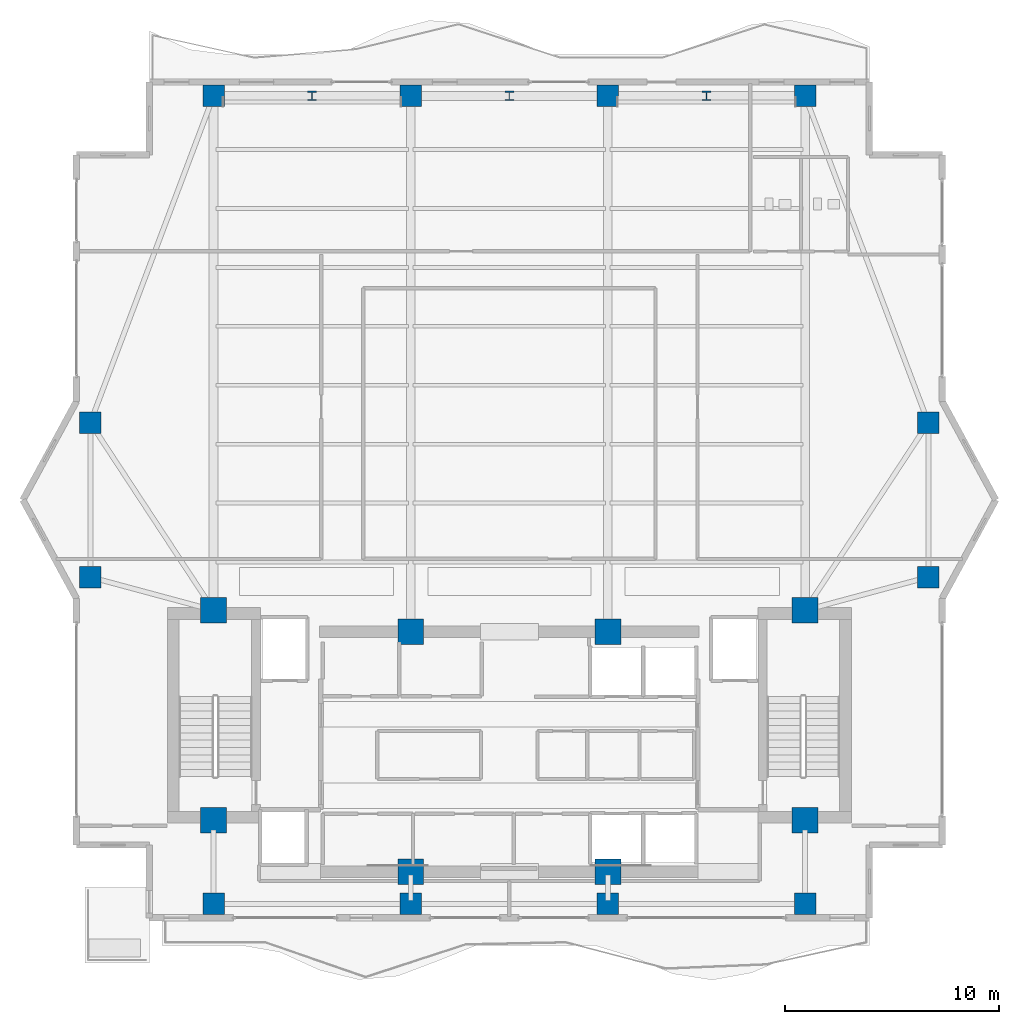
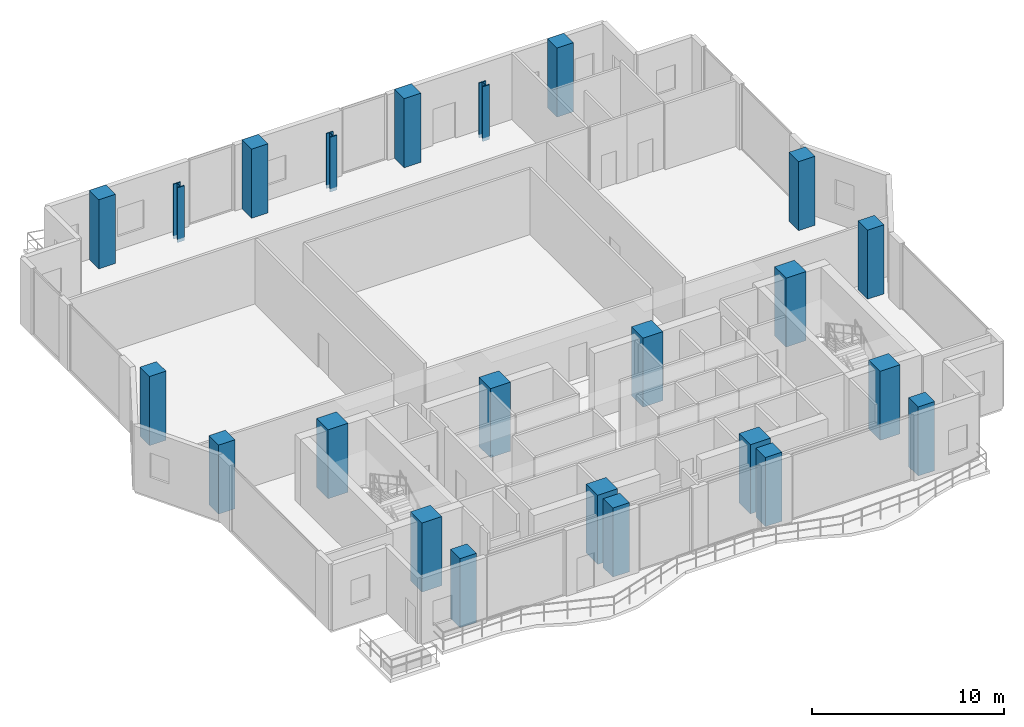
# One storey, part 1 of 24: 23 columns.
"""IFC4 building model written with IfcOpenShell, lengths in metres."""

import ifcopenshell
import ifcopenshell.guid

model = None  # the IFC model being written
_history = None  # IfcOwnerHistory: only IFC2X3 demands one
_inside = {}  # id of a spatial element -> (the spatial element, [elements in it])
_under = {}  # id of a project, library or spatial element -> (it, [spatial elements below it])
_declared = {}  # id of a project -> (the project, [libraries it declares])
_typed = {}  # id of a type object -> (the type object, [elements of that type])
_made_of = {}  # id of a material, layer set ... -> (it, [elements and type objects made of it])


def new_model(schema):
    """Start an empty IFC model of exactly this schema.

    Asked for "IFC4X3", IfcOpenShell would pick the latest addendum, in which some entities
    have other attributes; the version numbers below select the first issue.
    IFC2X3 requires an IfcOwnerHistory on every rooted entity: one is made here for all.
    """
    global model, _history
    if schema == "IFC4X3":
        model = ifcopenshell.file(schema_version=(4, 3, 0, 0))
    else:
        model = ifcopenshell.file(schema=schema)
    _inside.clear()
    _under.clear()
    _declared.clear()
    _typed.clear()
    _made_of.clear()
    _history = None
    if model.schema == "IFC2X3":
        org = make("IfcOrganization", Name="unknown")
        user = make(
            "IfcPersonAndOrganization",
            ThePerson=make("IfcPerson", FamilyName="unknown"),
            TheOrganization=org,
        )
        app = make(
            "IfcApplication",
            ApplicationDeveloper=org,
            Version="unknown",
            ApplicationFullName="unknown",
            ApplicationIdentifier="unknown",
        )
        _history = make(
            "IfcOwnerHistory",
            OwningUser=user,
            OwningApplication=app,
            ChangeAction="ADDED",
            CreationDate=0,
        )
    return model


def make(cls, **values):
    """One entity of the class cls with the attributes given. An attribute that is None is left unset."""
    return model.create_entity(
        cls, **{name: value for name, value in values.items() if value is not None}
    )


def rooted(cls, **values):
    """An entity with a GlobalId (a new one), such as an element, a storey or a relation."""
    return make(cls, GlobalId=ifcopenshell.guid.new(), OwnerHistory=_history, **values)


def si_unit(unit_type, name, prefix=None):
    """IfcSIUnit, for example si_unit("LENGTHUNIT", "METRE", prefix="MILLI")."""
    return make("IfcSIUnit", UnitType=unit_type, Prefix=prefix, Name=name)


def assignment(units):
    """IfcUnitAssignment: the units of a project."""
    return None if units is None else make("IfcUnitAssignment", Units=units)


def point(xyz):
    """IfcCartesianPoint."""
    return None if xyz is None else make("IfcCartesianPoint", Coordinates=xyz)


def direction(xyz):
    """IfcDirection."""
    return None if xyz is None else make("IfcDirection", DirectionRatios=xyz)


def frame(location, z_axis=None, x_axis=None):
    """IfcAxis2Placement3D, a coordinate frame: its origin and axes. An axis left out is left unset."""
    return make(
        "IfcAxis2Placement3D",
        Location=point(location),
        Axis=direction(z_axis),
        RefDirection=direction(x_axis),
    )


def frame_2d(location, x_axis=None):
    """IfcAxis2Placement2D, a coordinate frame in the plane: its origin and x axis."""
    return make(
        "IfcAxis2Placement2D", Location=point(location), RefDirection=direction(x_axis)
    )


def origin():
    """The frame at (0, 0, 0) with its axes left unset."""
    return frame((0.0, 0.0, 0.0))


def origin_2d():
    """The frame at (0, 0) in the plane with its x axis left unset."""
    return frame_2d((0.0, 0.0))


def place(relative_to, where):
    """IfcLocalPlacement: puts the frame where relative to a parent placement (None: the world)."""
    return make(
        "IfcLocalPlacement", PlacementRelTo=relative_to, RelativePlacement=where
    )


def context(
    kind, dimensions, precision=None, world=None, true_north=None, identifier=None
):
    """IfcGeometricRepresentationContext, for example the 3D "Model" context."""
    return make(
        "IfcGeometricRepresentationContext",
        ContextIdentifier=identifier,
        ContextType=kind,
        CoordinateSpaceDimension=dimensions,
        Precision=precision,
        WorldCoordinateSystem=world,
        TrueNorth=true_north,
    )


def subcontext(parent, identifier, kind, view, scale=None):
    """IfcGeometricRepresentationSubContext, for example "Body" below "Model"."""
    return make(
        "IfcGeometricRepresentationSubContext",
        ContextIdentifier=identifier,
        ContextType=kind,
        ParentContext=parent,
        TargetScale=scale,
        TargetView=view,
    )


def project(units=None, contexts=None):
    """IfcProject with its units and contexts."""
    return rooted(
        "IfcProject",
        Name="project",
        RepresentationContexts=contexts,
        UnitsInContext=assignment(units),
    )


def spatial(cls, under=None, at=None, **own):
    """A site, building, storey or space (cls), placed at a placement, below another one or the project."""
    s = rooted(cls, ObjectPlacement=at, **own)
    if under is not None:
        _under.setdefault(under.id(), (under, []))[1].append(s)
    return s


def profile(cls, at=None, kind="AREA", **sizes):
    """A parametric profile (cls). Its sizes go by their IFC names, for example OverallWidth=200.0."""
    return make(cls, ProfileType=kind, Position=at, **sizes)


def rectangle(**sizes):
    """IfcRectangleProfileDef."""
    return profile("IfcRectangleProfileDef", **sizes)


def i_section(**sizes):
    """IfcIShapeProfileDef."""
    return profile("IfcIShapeProfileDef", **sizes)


def extrude(swept, where, along, depth):
    """IfcExtrudedAreaSolid: the profile swept, set in the frame where, extruded along a direction by depth."""
    return make(
        "IfcExtrudedAreaSolid",
        SweptArea=swept,
        Position=where,
        ExtrudedDirection=direction(along),
        Depth=depth,
    )


def shape(context_of_items, identifier, shape_type, items):
    """IfcShapeRepresentation: the items that make up one representation, for example the "Body"."""
    return make(
        "IfcShapeRepresentation",
        ContextOfItems=context_of_items,
        RepresentationIdentifier=identifier,
        RepresentationType=shape_type,
        Items=items,
    )


def material(Name=None, Category=None):
    """IfcMaterial."""
    return make("IfcMaterial", Name=Name, Category=Category)


def material_profile(
    of_material, cross_section, Name=None, Category=None, Priority=None
):
    """IfcMaterialProfile: a cross section and its material."""
    return make(
        "IfcMaterialProfile",
        Name=Name,
        Material=of_material,
        Profile=cross_section,
        Priority=Priority,
        Category=Category,
    )


def profile_set(profiles, Name=None, composite=None):
    """IfcMaterialProfileSet."""
    return make(
        "IfcMaterialProfileSet",
        Name=Name,
        MaterialProfiles=profiles,
        CompositeProfile=composite,
    )


def made_of(thing, what):
    """Note that an element or type object is made of a material, layer set ...; save() writes the relation."""
    if what is not None:
        _made_of.setdefault(what.id(), (what, []))[1].append(thing)
    return thing


def type_object(cls, material=None, **own):
    """A type object (cls), such as IfcWallType, which elements share."""
    return made_of(rooted(cls, **own), material)


def element(
    cls,
    number,
    at=None,
    inside=None,
    cuts=None,
    type_object=None,
    material=None,
    context=None,
    identifier="Body",
    shape_type=None,
    held_by="IfcProductDefinitionShape",
    body=None,
    shapes=None,
    **own,
):
    """One element of the class cls, such as IfcWall. Its Tag is "e" and its number.

    at: its placement. inside: the storey or other place that contains it. cuts: it is an
    opening in that element (IfcRelVoidsElement). A single representation is given by context,
    identifier, shape_type and body (its items); several are given by shapes. held_by: the class
    of the entity that holds the representations. save() writes the other relations.
    """
    e = rooted(cls, Tag="e%d" % number, ObjectPlacement=at, **own)
    if body is not None:
        shapes = [shape(context, identifier, shape_type, body)]
    if shapes is not None:
        e.Representation = make(held_by, Representations=shapes)
    if inside is not None:
        _inside.setdefault(inside.id(), (inside, []))[1].append(e)
    if cuts is not None:
        rooted(
            "IfcRelVoidsElement", RelatingBuildingElement=cuts, RelatedOpeningElement=e
        )
    if type_object is not None:
        _typed.setdefault(type_object.id(), (type_object, []))[1].append(e)
    return made_of(e, material)


def aggregate(whole, parts):
    """IfcRelAggregates: a whole, such as a stair, and the parts it consists of."""
    return rooted("IfcRelAggregates", RelatingObject=whole, RelatedObjects=parts)


def save(model, path):
    """Write the relations noted so far, then the file.

    IfcRelAggregates (storeys below a building ...), IfcRelContainedInSpatialStructure (elements
    in a storey), IfcRelDefinesByType, IfcRelAssociatesMaterial and IfcRelDeclares: one each for
    every whole, place, type object, material and project.
    """
    for whole, parts in _under.values():
        aggregate(whole, parts)
    for where, things in _inside.values():
        rooted(
            "IfcRelContainedInSpatialStructure",
            RelatedElements=things,
            RelatingStructure=where,
        )
    for kind, things in _typed.values():
        rooted("IfcRelDefinesByType", RelatedObjects=things, RelatingType=kind)
    for what, things in _made_of.values():
        rooted("IfcRelAssociatesMaterial", RelatedObjects=things, RelatingMaterial=what)
    for by, libraries in _declared.values():
        rooted("IfcRelDeclares", RelatingContext=by, RelatedDefinitions=libraries)
    model.write(path)


model = new_model("IFC4")

# Units and contexts
model_context = context("Model", 3, precision=1e-05, world=origin(), true_north=direction((0.0, 1.0)))
body_context = subcontext(model_context, "Body", "Model", "MODEL_VIEW")
ifc_project = project(units=[si_unit("LENGTHUNIT", "METRE"), si_unit("AREAUNIT", "SQUARE_METRE"), si_unit("VOLUMEUNIT", "CUBIC_METRE"), si_unit("PLANEANGLEUNIT", "RADIAN"), si_unit("MASSUNIT", "GRAM", prefix="KILO")], contexts=[model_context])

# Site, building, storey
site_placement = place(None, origin())
site = spatial("IfcSite", under=ifc_project, at=site_placement, CompositionType="ELEMENT")
building_placement = place(site_placement, origin())
building = spatial("IfcBuilding", under=site, at=building_placement, Name="Zuhayl Quay Hotel", CompositionType="ELEMENT")
storey_placement = place(building_placement, frame((0.0, 0.0, 284.050048828125)))
storey = spatial("IfcBuildingStorey", under=building, at=storey_placement, Name="L72", CompositionType="ELEMENT", Elevation=284.050048828125)

# Columns
ifc_material_1 = material(Name="Concrete C60/75", Category="concrete")
ifc_material_profile_1 = material_profile(ifc_material_1, rectangle(XDim=1.199951171875, YDim=1.199951171875, at=origin_2d()), Name="RC1200X1200")
ifc_profile_set_1 = profile_set([ifc_material_profile_1], Name="Concrete C60/75")
column_type_1 = type_object("IfcColumnType", Name="CL_CC2_1200", PredefinedType="COLUMN", material=ifc_profile_set_1)
for number, where, z_axis, x_axis, name in (
    (1, (-13.800048828125, 14.35009765625, 0.0), (0.0, 0.0, 1.0), (1.0, 0.0, 0.0), "L72 Core Column CC_NW"),
    (2, (-4.60009765625, 13.35009765625, 0.0), (0.0, 0.0, 1.0), (1.0, 0.0, 0.0), "L72 Core Column CC_CNW"),
    (3, (4.60009765625, 13.35009765625, 0.0), (0.0, 0.0, 1.0), (1.0, 0.0, 0.0), "L72 Core Column CC_CNE"),
    (4, (13.800048828125, 14.35009765625, 0.0), (0.0, 0.0, 1.0), (1.0, 0.0, 0.0), "L72 Core Column CC_NE"),
    (5, (-13.800048828125, 4.550048828125, 0.0), (0.0, 0.0, 1.0), (1.0, 0.0, 0.0), "L72 Core Column CC_SW"),
    (6, (-4.60009765625, 2.14990234375, 0.0), (0.0, 0.0, 1.0), (1.0, 0.0, 0.0), "L72 Core Column CC_CSW"),
    (7, (4.60009765625, 2.14990234375, 0.0), (0.0, 0.0, 1.0), (1.0, 0.0, 0.0), "L72 Core Column CC_CSE"),
    (8, (13.800048828125, 4.550048828125, 0.0), (0.0, 0.0, 1.0), (1.0, 0.0, 0.0), "L72 Core Column CC_SE"),
):
    element("IfcColumn", number, at=place(storey_placement, frame(where, z_axis=z_axis, x_axis=x_axis)), inside=storey, type_object=column_type_1, Name=name, PredefinedType="COLUMN", context=body_context, shape_type="SweptSolid", body=[
        extrude(rectangle(XDim=1.199951171875, YDim=1.199951171875, at=origin_2d()), origin(), (0.0, 0.0, 1.0), 4.39990234375),
    ])
ifc_material_profile_2 = material_profile(ifc_material_1, rectangle(XDim=1.0, YDim=1.0, at=origin_2d()), Name="RC1000X1000")
ifc_profile_set_2 = profile_set([ifc_material_profile_2], Name="Concrete C60/75")
column_type_2 = type_object("IfcColumnType", Name="CL_MC4_1000", PredefinedType="COLUMN", material=ifc_profile_set_2)
for number, where, z_axis, x_axis, name in (
    (9, (-13.800048828125, 0.64990234375, 0.0), (0.0, 0.0, 1.0), (1.0, 0.0, 0.0), "L72 Mega-Column MC_S1"),
    (10, (-4.60009765625, 0.64990234375, 0.0), (0.0, 0.0, 1.0), (1.0, 0.0, 0.0), "L72 Mega-Column MC_S2"),
    (11, (4.60009765625, 0.64990234375, 0.0), (0.0, 0.0, 1.0), (1.0, 0.0, 0.0), "L72 Mega-Column MC_S3"),
    (12, (13.800048828125, 0.64990234375, 0.0), (0.0, 0.0, 1.0), (1.0, 0.0, 0.0), "L72 Mega-Column MC_S4"),
    (13, (-13.800048828125, 38.35009765625, 0.0), (0.0, 0.0, 1.0), (1.0, 0.0, 0.0), "L72 Mega-Column MC_N1"),
    (14, (-4.60009765625, 38.35009765625, 0.0), (0.0, 0.0, 1.0), (1.0, 0.0, 0.0), "L72 Mega-Column MC_N2"),
    (15, (4.60009765625, 38.35009765625, 0.0), (0.0, 0.0, 1.0), (1.0, 0.0, 0.0), "L72 Mega-Column MC_N3"),
    (16, (13.800048828125, 38.35009765625, 0.0), (0.0, 0.0, 1.0), (1.0, 0.0, 0.0), "L72 Mega-Column MC_N4"),
    (17, (-19.550048828125, 15.89990234375, 0.0), (0.0, 0.0, 1.0), (1.0, 0.0, 0.0), "L72 Mega-Column MC_W1"),
    (18, (-19.550048828125, 23.10009765625, 0.0), (0.0, 0.0, 1.0), (1.0, 0.0, 0.0), "L72 Mega-Column MC_W2"),
    (19, (19.550048828125, 15.89990234375, 0.0), (0.0, 0.0, 1.0), (1.0, 0.0, 0.0), "L72 Mega-Column MC_E1"),
    (20, (19.550048828125, 23.10009765625, 0.0), (0.0, 0.0, 1.0), (1.0, 0.0, 0.0), "L72 Mega-Column MC_E2"),
):
    element("IfcColumn", number, at=place(storey_placement, frame(where, z_axis=z_axis, x_axis=x_axis)), inside=storey, type_object=column_type_2, Name=name, PredefinedType="COLUMN", context=body_context, shape_type="SweptSolid", body=[
        extrude(rectangle(XDim=1.0, YDim=1.0, at=origin_2d()), origin(), (0.0, 0.0, 1.0), 4.39990234375),
    ])
ifc_material_2 = material(Name="Steel ASTM A913 Grade 65", Category="steel")
ifc_material_profile_3 = material_profile(ifc_material_2, i_section(OverallWidth=0.416015625, OverallDepth=0.445068359375, WebThickness=0.0390625, FlangeThickness=0.062744140625, at=origin_2d()), Name="W14X342")
ifc_profile_set_3 = profile_set([ifc_material_profile_3], Name="Steel ASTM A913 Grade 65")
column_type_3 = type_object("IfcColumnType", Name="CL_PIL_W14_342", PredefinedType="PILASTER", material=ifc_profile_set_3)
for number, where, z_axis, x_axis, name in (
    (21, (-9.199951171875, 38.35009765625, -0.219970703125), (0.0, 0.0, 1.0), (1.0, 0.0, 0.0), "L72 Sky-Lobby Facade Pilaster PL1-1"),
    (22, (0.0, 38.35009765625, -0.219970703125), (0.0, 0.0, 1.0), (1.0, 0.0, 0.0), "L72 Sky-Lobby Facade Pilaster PL1-2"),
    (23, (9.199951171875, 38.35009765625, -0.219970703125), (0.0, 0.0, 1.0), (1.0, 0.0, 0.0), "L72 Sky-Lobby Facade Pilaster PL1-3"),
):
    element("IfcColumn", number, at=place(storey_placement, frame(where, z_axis=z_axis, x_axis=x_axis)), inside=storey, type_object=column_type_3, Name=name, PredefinedType="PILASTER", context=body_context, shape_type="SweptSolid", body=[
        extrude(i_section(OverallWidth=0.416015625, OverallDepth=0.445068359375, WebThickness=0.0390625, FlangeThickness=0.062744140625, at=origin_2d()), origin(), (0.0, 0.0, 1.0), 3.5),
    ])

save(model, "model.ifc")
